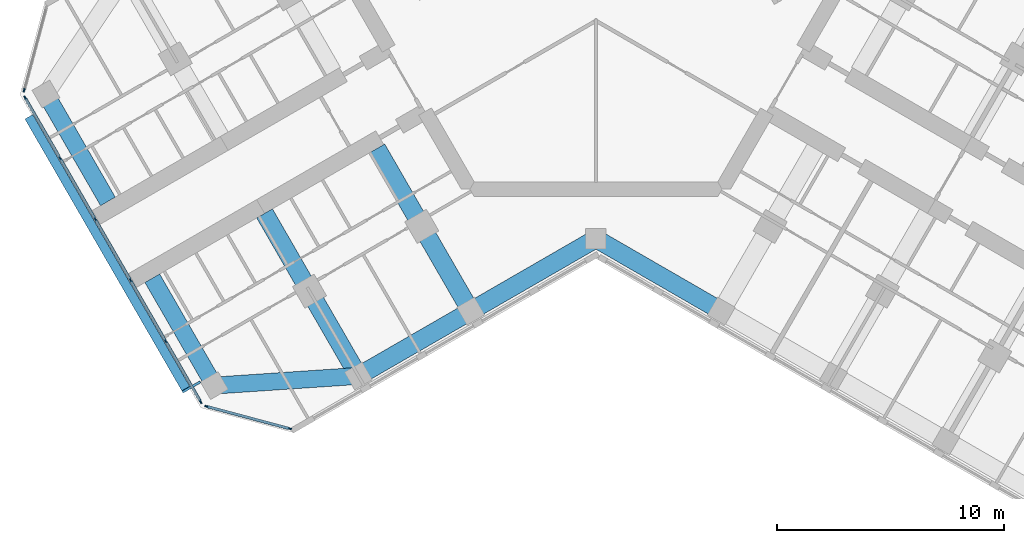
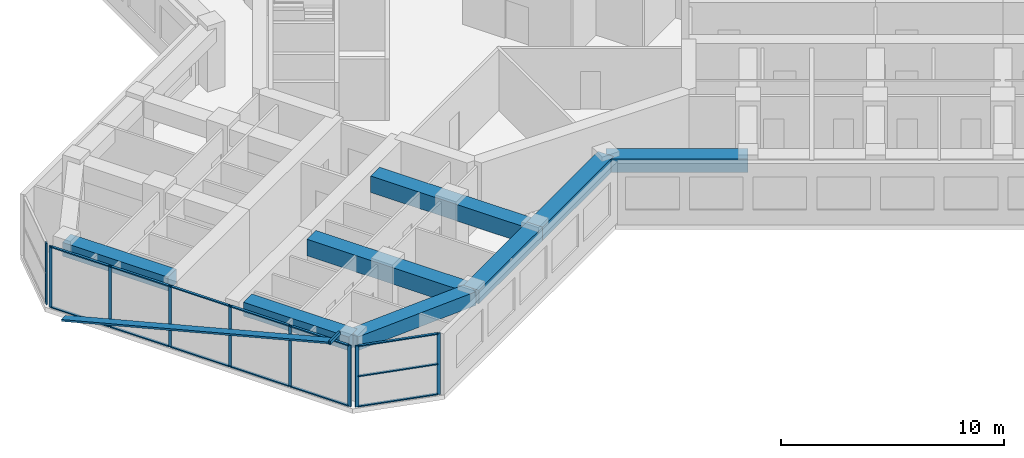
# One storey, part 2 of 16: 24 members, 8 beams, 3 elements without a shape of their own.
"""IFC4 building model written with IfcOpenShell, lengths in metres."""

from ifc_helpers import new_model, si_unit, direction, frame, origin, origin_2d, place, context, subcontext, project, spatial, rectangle, hollow_rectangle, extrude, material, material_profile, profile_set, type_object, element, aggregate, save


model = new_model("IFC4")

# Units and contexts
model_context = context("Model", 3, precision=1e-05, world=origin(), true_north=direction((0.0, 1.0)))
body_context = subcontext(model_context, "Body", "Model", "MODEL_VIEW")
ifc_project = project(units=[si_unit("LENGTHUNIT", "METRE"), si_unit("AREAUNIT", "SQUARE_METRE"), si_unit("VOLUMEUNIT", "CUBIC_METRE"), si_unit("PLANEANGLEUNIT", "RADIAN"), si_unit("MASSUNIT", "GRAM", prefix="KILO")], contexts=[model_context])

# Site, building, storey
site_placement = place(None, origin())
site = spatial("IfcSite", under=ifc_project, at=site_placement, CompositionType="ELEMENT")
building_placement = place(site_placement, origin())
building = spatial("IfcBuilding", under=site, at=building_placement, Name="Kosmar Iwan School Tower", CompositionType="ELEMENT")
storey_placement = place(building_placement, frame((0.0, 0.0, 222.60009765625)))
storey = spatial("IfcBuildingStorey", under=building, at=storey_placement, Name="L56", CompositionType="ELEMENT", Elevation=222.60009765625)

# Members
ifc_material_1 = material(Name="Black anodised aluminium", Category="aluminium")
ifc_material_profile_1 = material_profile(ifc_material_1, rectangle(XDim=0.10009765625, YDim=0.39990234375, at=origin_2d()), Name="FIN 100x400")
ifc_profile_set_1 = profile_set([ifc_material_profile_1], Name="Black anodised aluminium")
member_type_1 = type_object("IfcMemberType", Name="Diagonal fin 100x400", PredefinedType="USERDEFINED", material=ifc_profile_set_1)
member_1_placement = place(storey_placement, frame((-24.926513671875, -6.426025390625, -0.150146484375), z_axis=(0.483800388566, -0.837965217343, 0.2524905514), x_axis=(-0.126245460598, 0.218663124976, 0.96759935999)))
element("IfcMember", 1, at=member_1_placement, inside=storey, type_object=member_type_1, Name="Diagonal fin L56-F11", ObjectType="FIN", PredefinedType="USERDEFINED", context=body_context, shape_type="SweptSolid", body=[
    extrude(rectangle(XDim=0.10009765625, YDim=0.39990234375, at=origin_2d()), origin(), (0.0, 0.0, 1.0), 14.25830078125),
])
ifc_material_2 = material(Name="Steel S355", Category="steel")
ifc_material_profile_2 = material_profile(ifc_material_2, hollow_rectangle(XDim=0.10009765625, YDim=0.199951171875, WallThickness=0.008056640625, at=origin_2d()), Name="RHS 200x100x8")
ifc_profile_set_2 = profile_set([ifc_material_profile_2], Name="Steel S355")
member_type_2 = type_object("IfcMemberType", Name="Fin bracket RHS 200x100", PredefinedType="USERDEFINED", material=ifc_profile_set_2)
member_2_placement = place(storey_placement, frame((-17.396240234375, -18.06884765625, 3.474853515625), z_axis=(-0.866013897511, -0.50001992892, 0.0), x_axis=(0.50001992892, -0.866013897511, 0.0)))
element("IfcMember", 2, at=member_2_placement, inside=storey, type_object=member_type_2, Name="Fin bracket L57", ObjectType="FIN BRACKET", PredefinedType="USERDEFINED", context=body_context, shape_type="SweptSolid", body=[
    extrude(hollow_rectangle(XDim=0.10009765625, YDim=0.199951171875, WallThickness=0.008056640625, at=origin_2d()), origin(), (0.0, 0.0, 1.0), 0.89990234375),
])

# Curtain wall, member
ifc_material_3 = material(Name="Dark glass in black aluminium frame", Category="aluminium")
curtain_wall_type_1 = type_object("IfcCurtainWallType", Name="Chamfer curtain wall dark glass", PredefinedType="USERDEFINED", material=ifc_material_3)
curtain_wall_1_placement = place(storey_placement, origin())
curtain_wall_1 = element("IfcCurtainWall", 3, at=curtain_wall_1_placement, inside=storey, type_object=curtain_wall_type_1, Name="Curtain wall L56-F10", ObjectType="FACETED CURTAIN WALL", PredefinedType="USERDEFINED")
ifc_material_4 = material(Name="Black anodised aluminium", Category="aluminium")
ifc_material_profile_3 = material_profile(ifc_material_4, rectangle(XDim=0.06005859375, YDim=0.159912109375, at=origin_2d()), Name="MULLION 60x160")
ifc_profile_set_3 = profile_set([ifc_material_profile_3], Name="Black anodised aluminium")
member_type_3 = type_object("IfcMemberType", Name="Mullion 60x160", PredefinedType="MULLION", material=ifc_profile_set_3)
member_3_placement = place(storey_placement, frame((-25.141845703125, -5.24853515625, 0.0), z_axis=(0.0, 0.0, 1.0), x_axis=(0.965925875495, -0.258818861462, 0.0)))
member_3 = element("IfcMember", 4, at=member_3_placement, type_object=member_type_3, Name="CW2 mullion 2", PredefinedType="MULLION", context=body_context, shape_type="SweptSolid", body=[
    extrude(rectangle(XDim=0.06005859375, YDim=0.159912109375, at=origin_2d()), origin(), (0.0, 0.0, 1.0), 3.349853515625),
])
aggregate(curtain_wall_1, [member_3])

# Curtain wall, members
ifc_material_5 = material(Name="Dark glass in black aluminium frame", Category="aluminium")
curtain_wall_type_2 = type_object("IfcCurtainWallType", Name="Tower curtain wall dark glass", PredefinedType="USERDEFINED", material=ifc_material_5)
curtain_wall_2_placement = place(storey_placement, origin())
curtain_wall_2 = element("IfcCurtainWall", 5, at=curtain_wall_2_placement, inside=storey, type_object=curtain_wall_type_2, Name="Curtain wall L56-F11", ObjectType="UNITISED CURTAIN WALL", PredefinedType="USERDEFINED")
member_4_placement = place(storey_placement, frame((-25.098388671875, -5.578369140625, 0.0), z_axis=(0.0, 0.0, 1.0), x_axis=(0.866025405329, 0.499999997325, 0.0)))
member_4 = element("IfcMember", 6, at=member_4_placement, type_object=member_type_3, Name="CW1 mullion 1", PredefinedType="MULLION", context=body_context, shape_type="SweptSolid", body=[
    extrude(rectangle(XDim=0.06005859375, YDim=0.159912109375, at=origin_2d()), origin(), (0.0, 0.0, 1.0), 3.349853515625),
])
member_5_placement = place(storey_placement, frame((-23.563720703125, -8.236328125, 0.0), z_axis=(0.0, 0.0, 1.0), x_axis=(0.866025405329, 0.499999997325, 0.0)))
member_5 = element("IfcMember", 7, at=member_5_placement, type_object=member_type_3, Name="CW1 mullion 2", PredefinedType="MULLION", context=body_context, shape_type="SweptSolid", body=[
    extrude(rectangle(XDim=0.06005859375, YDim=0.159912109375, at=origin_2d()), origin(), (0.0, 0.0, 1.0), 3.349853515625),
])
member_6_placement = place(storey_placement, frame((-22.01416015625, -10.92041015625, 0.0), z_axis=(0.0, 0.0, 1.0), x_axis=(0.866025405329, 0.499999997325, 0.0)))
member_6 = element("IfcMember", 8, at=member_6_placement, type_object=member_type_3, Name="CW1 mullion 3", PredefinedType="MULLION", context=body_context, shape_type="SweptSolid", body=[
    extrude(rectangle(XDim=0.06005859375, YDim=0.159912109375, at=origin_2d()), origin(), (0.0, 0.0, 1.0), 3.349853515625),
])
member_7_placement = place(storey_placement, frame((-20.46435546875, -13.6044921875, 0.0), z_axis=(0.0, 0.0, 1.0), x_axis=(0.866025405329, 0.499999997325, 0.0)))
member_7 = element("IfcMember", 9, at=member_7_placement, type_object=member_type_3, Name="CW1 mullion 4", PredefinedType="MULLION", context=body_context, shape_type="SweptSolid", body=[
    extrude(rectangle(XDim=0.06005859375, YDim=0.159912109375, at=origin_2d()), origin(), (0.0, 0.0, 1.0), 3.349853515625),
])
member_8_placement = place(storey_placement, frame((-18.914794921875, -16.28857421875, 0.0), z_axis=(0.0, 0.0, 1.0), x_axis=(0.866025405329, 0.499999997325, 0.0)))
member_8 = element("IfcMember", 10, at=member_8_placement, type_object=member_type_3, Name="CW1 mullion 5", PredefinedType="MULLION", context=body_context, shape_type="SweptSolid", body=[
    extrude(rectangle(XDim=0.06005859375, YDim=0.159912109375, at=origin_2d()), origin(), (0.0, 0.0, 1.0), 3.349853515625),
])
member_9_placement = place(storey_placement, frame((-17.380126953125, -18.94677734375, 0.0), z_axis=(0.0, 0.0, 1.0), x_axis=(0.866025405329, 0.499999997325, 0.0)))
member_9 = element("IfcMember", 11, at=member_9_placement, type_object=member_type_3, Name="CW1 mullion 6", PredefinedType="MULLION", context=body_context, shape_type="SweptSolid", body=[
    extrude(rectangle(XDim=0.06005859375, YDim=0.159912109375, at=origin_2d()), origin(), (0.0, 0.0, 1.0), 3.349853515625),
])

curtain_wall_3_placement = place(storey_placement, origin())
curtain_wall_3 = element("IfcCurtainWall", 12, at=curtain_wall_3_placement, inside=storey, type_object=curtain_wall_type_1, Name="Curtain wall L56-F12", ObjectType="FACETED CURTAIN WALL", PredefinedType="USERDEFINED")
member_10_placement = place(storey_placement, frame((-17.1162109375, -19.149169921875, 0.0), z_axis=(0.0, 0.0, 1.0), x_axis=(0.258818861462, 0.965925875495, 0.0)))
member_10 = element("IfcMember", 13, at=member_10_placement, type_object=member_type_3, Name="CW2 mullion 1", PredefinedType="MULLION", context=body_context, shape_type="SweptSolid", body=[
    extrude(rectangle(XDim=0.06005859375, YDim=0.159912109375, at=origin_2d()), origin(), (0.0, 0.0, 1.0), 3.349853515625),
])
member_11_placement = place(storey_placement, frame((-13.466064453125, -20.127197265625, 0.0), z_axis=(0.0, 0.0, 1.0), x_axis=(0.258818861462, 0.965925875495, 0.0)))
member_11 = element("IfcMember", 14, at=member_11_placement, type_object=member_type_3, Name="CW2 mullion 2", PredefinedType="MULLION", context=body_context, shape_type="SweptSolid", body=[
    extrude(rectangle(XDim=0.06005859375, YDim=0.159912109375, at=origin_2d()), origin(), (0.0, 0.0, 1.0), 3.349853515625),
])

# Beams
ifc_material_6 = material(Name="Concrete C50/60", Category="concrete")
ifc_material_profile_4 = material_profile(ifc_material_6, rectangle(XDim=0.800048828125, YDim=0.75, at=origin_2d()), Name="RC 800x750")
ifc_profile_set_4 = profile_set([ifc_material_profile_4], Name="Concrete C50/60")
beam_type_1 = type_object("IfcBeamType", Name="RC edge beam 800x750", PredefinedType="BEAM", material=ifc_profile_set_4)
beam_1_placement = place(storey_placement, frame((0.0, -11.77783203125, 2.974853515625), z_axis=(-0.866014293216, -0.500019243575, 0.0), x_axis=(0.500019243575, -0.866014293216, 0.0)))
element("IfcBeam", 15, at=beam_1_placement, inside=storey, type_object=beam_type_1, Name="Edge beam BL1", PredefinedType="BEAM", context=body_context, shape_type="SweptSolid", body=[
    extrude(rectangle(XDim=0.800048828125, YDim=0.75, at=origin_2d()), origin(), (0.0, 0.0, 1.0), 6.361083984375),
])
beam_2_placement = place(storey_placement, frame((-5.5087890625, -14.95849609375, 2.974853515625), z_axis=(-0.866033658841, -0.49998570155, 0.0), x_axis=(0.49998570155, -0.866033658841, 0.0)))
element("IfcBeam", 16, at=beam_2_placement, inside=storey, type_object=beam_type_1, Name="Edge beam BL2", PredefinedType="BEAM", context=body_context, shape_type="SweptSolid", body=[
    extrude(rectangle(XDim=0.800048828125, YDim=0.75, at=origin_2d()), origin(), (0.0, 0.0, 1.0), 5.699951171875),
])
beam_3_placement = place(storey_placement, frame((0.0, -11.77783203125, 2.974853515625), z_axis=(0.866014293216, -0.500019243575, 0.0), x_axis=(0.500019243575, 0.866014293216, 0.0)))
element("IfcBeam", 17, at=beam_3_placement, inside=storey, type_object=beam_type_1, Name="Edge beam CR1", PredefinedType="BEAM", context=body_context, shape_type="SweptSolid", body=[
    extrude(rectangle(XDim=0.800048828125, YDim=0.75, at=origin_2d()), origin(), (0.0, 0.0, 1.0), 6.361083984375),
])
ifc_material_7 = material(Name="Concrete C50/60", Category="concrete")
ifc_material_profile_5 = material_profile(ifc_material_7, rectangle(XDim=0.75, YDim=0.75, at=origin_2d()), Name="RC 750x750")
ifc_profile_set_5 = profile_set([ifc_material_profile_5], Name="Concrete C50/60")
beam_type_2 = type_object("IfcBeamType", Name="RC tip beam 750x750", PredefinedType="BEAM", material=ifc_profile_set_5)
beam_4_placement = place(storey_placement, frame((-10.445068359375, -17.808349609375, 2.974853515625), z_axis=(-0.997755118724, -0.066968074933, 0.0), x_axis=(0.066968074933, -0.997755118724, 0.0)))
element("IfcBeam", 18, at=beam_4_placement, inside=storey, type_object=beam_type_2, Name="Tip beam BL", PredefinedType="BEAM", context=body_context, shape_type="SweptSolid", body=[
    extrude(rectangle(XDim=0.75, YDim=0.75, at=origin_2d()), origin(), (0.0, 0.0, 1.0), 6.3505859375),
])
beam_5_placement = place(storey_placement, frame((-16.781494140625, -18.233642578125, 2.974853515625), z_axis=(-0.500002931134, 0.866023711487, 0.0), x_axis=(-0.866023711487, -0.500002931134, 0.0)))
element("IfcBeam", 19, at=beam_5_placement, inside=storey, type_object=beam_type_2, Name="Tip beam BL to corridor wall", PredefinedType="BEAM", context=body_context, shape_type="SweptSolid", body=[
    extrude(rectangle(XDim=0.75, YDim=0.75, at=origin_2d()), origin(), (0.0, 0.0, 1.0), 5.4501953125),
])
beam_6_placement = place(storey_placement, frame((-24.181396484375, -5.41650390625, 2.974853515625), z_axis=(0.499988730927, -0.866031909889, 0.0), x_axis=(0.866031909889, 0.499988730927, 0.0)))
element("IfcBeam", 20, at=beam_6_placement, inside=storey, type_object=beam_type_2, Name="Tip beam BR to corridor wall", PredefinedType="BEAM", context=body_context, shape_type="SweptSolid", body=[
    extrude(rectangle(XDim=0.75, YDim=0.75, at=origin_2d()), origin(), (0.0, 0.0, 1.0), 5.449951171875),
])
ifc_material_8 = material(Name="Concrete C50/60", Category="concrete")
ifc_material_profile_6 = material_profile(ifc_material_8, rectangle(XDim=0.800048828125, YDim=0.89990234375, at=origin_2d()), Name="RC 800x900")
ifc_profile_set_6 = profile_set([ifc_material_profile_6], Name="Concrete C50/60")
beam_type_3 = type_object("IfcBeamType", Name="RC transverse beam 800x900", PredefinedType="BEAM", material=ifc_profile_set_6)
beam_7_placement = place(storey_placement, frame((-5.5087890625, -14.95849609375, 2.89990234375), z_axis=(-0.499996545922, 0.866027397988, 0.0), x_axis=(-0.866027397988, -0.499996545922, 0.0)))
element("IfcBeam", 21, at=beam_7_placement, inside=storey, type_object=beam_type_3, Name="Transverse beam BL1", PredefinedType="BEAM", context=body_context, shape_type="SweptSolid", body=[
    extrude(rectangle(XDim=0.800048828125, YDim=0.89990234375, at=origin_2d()), origin(), (0.0, 0.0, 1.0), 8.25),
])
beam_8_placement = place(storey_placement, frame((-10.445068359375, -17.808349609375, 2.89990234375), z_axis=(-0.500009360108, 0.866019999656, 0.0), x_axis=(-0.866019999656, -0.500009360108, 0.0)))
element("IfcBeam", 22, at=beam_8_placement, inside=storey, type_object=beam_type_3, Name="Transverse beam BL2", PredefinedType="BEAM", context=body_context, shape_type="SweptSolid", body=[
    extrude(rectangle(XDim=0.800048828125, YDim=0.89990234375, at=origin_2d()), origin(), (0.0, 0.0, 1.0), 8.249755859375),
])

# Member
ifc_material_9 = material(Name="Black anodised aluminium", Category="aluminium")
ifc_material_profile_7 = material_profile(ifc_material_9, rectangle(XDim=0.1201171875, YDim=0.06005859375, at=origin_2d()), Name="TRANSOM 60x120")
ifc_profile_set_7 = profile_set([ifc_material_profile_7], Name="Black anodised aluminium")
member_type_4 = type_object("IfcMemberType", Name="Transom 60x120", PredefinedType="USERDEFINED", material=ifc_profile_set_7)
member_12_placement = place(storey_placement, frame((-25.08349609375, -5.604248046875, 0.02978515625), z_axis=(0.499986971506, -0.866032925658, 0.0), x_axis=(0.866032925658, 0.499986971506, 0.0)))
member_12 = element("IfcMember", 23, at=member_12_placement, type_object=member_type_4, Name="CW1 transom 1.1", ObjectType="TRANSOM", PredefinedType="USERDEFINED", context=body_context, shape_type="SweptSolid", body=[
    extrude(rectangle(XDim=0.1201171875, YDim=0.06005859375, at=origin_2d()), origin(), (0.0, 0.0, 1.0), 3.00927734375),
])

member_13_placement = place(storey_placement, frame((-25.08349609375, -5.604248046875, 3.31982421875), z_axis=(0.499986971506, -0.866032925658, 0.0), x_axis=(0.866032925658, 0.499986971506, 0.0)))
member_13 = element("IfcMember", 24, at=member_13_placement, type_object=member_type_4, Name="CW1 transom 1.2", ObjectType="TRANSOM", PredefinedType="USERDEFINED", context=body_context, shape_type="SweptSolid", body=[
    extrude(rectangle(XDim=0.1201171875, YDim=0.06005859375, at=origin_2d()), origin(), (0.0, 0.0, 1.0), 3.00927734375),
])

member_14_placement = place(storey_placement, frame((-23.548828125, -8.262451171875, 0.02978515625), z_axis=(0.500035348339, -0.866004994449, 0.0), x_axis=(0.866004994449, 0.500035348339, 0.0)))
member_14 = element("IfcMember", 25, at=member_14_placement, type_object=member_type_4, Name="CW1 transom 2.1", ObjectType="TRANSOM", PredefinedType="USERDEFINED", context=body_context, shape_type="SweptSolid", body=[
    extrude(rectangle(XDim=0.1201171875, YDim=0.06005859375, at=origin_2d()), origin(), (0.0, 0.0, 1.0), 3.039306640625),
])

member_15_placement = place(storey_placement, frame((-23.548828125, -8.262451171875, 3.31982421875), z_axis=(0.500035348339, -0.866004994449, 0.0), x_axis=(0.866004994449, 0.500035348339, 0.0)))
member_15 = element("IfcMember", 26, at=member_15_placement, type_object=member_type_4, Name="CW1 transom 2.2", ObjectType="TRANSOM", PredefinedType="USERDEFINED", context=body_context, shape_type="SweptSolid", body=[
    extrude(rectangle(XDim=0.1201171875, YDim=0.06005859375, at=origin_2d()), origin(), (0.0, 0.0, 1.0), 3.039306640625),
])

member_16_placement = place(storey_placement, frame((-21.9990234375, -10.946533203125, 0.02978515625), z_axis=(0.499975102327, -0.866039777986, 0.0), x_axis=(0.866039777986, 0.499975102327, 0.0)))
member_16 = element("IfcMember", 27, at=member_16_placement, type_object=member_type_4, Name="CW1 transom 3.1", ObjectType="TRANSOM", PredefinedType="USERDEFINED", context=body_context, shape_type="SweptSolid", body=[
    extrude(rectangle(XDim=0.1201171875, YDim=0.06005859375, at=origin_2d()), origin(), (0.0, 0.0, 1.0), 3.039306640625),
])

member_17_placement = place(storey_placement, frame((-21.9990234375, -10.946533203125, 3.31982421875), z_axis=(0.499975102327, -0.866039777986, 0.0), x_axis=(0.866039777986, 0.499975102327, 0.0)))
member_17 = element("IfcMember", 28, at=member_17_placement, type_object=member_type_4, Name="CW1 transom 3.2", ObjectType="TRANSOM", PredefinedType="USERDEFINED", context=body_context, shape_type="SweptSolid", body=[
    extrude(rectangle(XDim=0.1201171875, YDim=0.06005859375, at=origin_2d()), origin(), (0.0, 0.0, 1.0), 3.039306640625),
])

member_18_placement = place(storey_placement, frame((-20.449462890625, -13.630615234375, 0.02978515625), z_axis=(0.500035348339, -0.866004994449, 0.0), x_axis=(0.866004994449, 0.500035348339, 0.0)))
member_18 = element("IfcMember", 29, at=member_18_placement, type_object=member_type_4, Name="CW1 transom 4.1", ObjectType="TRANSOM", PredefinedType="USERDEFINED", context=body_context, shape_type="SweptSolid", body=[
    extrude(rectangle(XDim=0.1201171875, YDim=0.06005859375, at=origin_2d()), origin(), (0.0, 0.0, 1.0), 3.039306640625),
])

member_19_placement = place(storey_placement, frame((-20.449462890625, -13.630615234375, 3.31982421875), z_axis=(0.500035348339, -0.866004994449, 0.0), x_axis=(0.866004994449, 0.500035348339, 0.0)))
member_19 = element("IfcMember", 30, at=member_19_placement, type_object=member_type_4, Name="CW1 transom 4.2", ObjectType="TRANSOM", PredefinedType="USERDEFINED", context=body_context, shape_type="SweptSolid", body=[
    extrude(rectangle(XDim=0.1201171875, YDim=0.06005859375, at=origin_2d()), origin(), (0.0, 0.0, 1.0), 3.039306640625),
])

member_20_placement = place(storey_placement, frame((-18.89990234375, -16.314697265625, 0.02978515625), z_axis=(0.500022102064, -0.866012642776, 0.0), x_axis=(0.866012642776, 0.500022102064, 0.0)))
member_20 = element("IfcMember", 31, at=member_20_placement, type_object=member_type_4, Name="CW1 transom 5.1", ObjectType="TRANSOM", PredefinedType="USERDEFINED", context=body_context, shape_type="SweptSolid", body=[
    extrude(rectangle(XDim=0.1201171875, YDim=0.06005859375, at=origin_2d()), origin(), (0.0, 0.0, 1.0), 3.009033203125),
])

member_21_placement = place(storey_placement, frame((-18.89990234375, -16.314697265625, 3.31982421875), z_axis=(0.500022102064, -0.866012642776, 0.0), x_axis=(0.866012642776, 0.500022102064, 0.0)))
member_21 = element("IfcMember", 32, at=member_21_placement, type_object=member_type_4, Name="CW1 transom 5.2", ObjectType="TRANSOM", PredefinedType="USERDEFINED", context=body_context, shape_type="SweptSolid", body=[
    extrude(rectangle(XDim=0.1201171875, YDim=0.06005859375, at=origin_2d()), origin(), (0.0, 0.0, 1.0), 3.009033203125),
])

aggregate(curtain_wall_2, [member_4, member_5, member_6, member_7, member_8, member_9, member_12, member_13, member_14, member_15, member_16, member_17, member_18, member_19, member_20, member_21])

member_22_placement = place(storey_placement, frame((-17.08740234375, -19.156982421875, 0.02978515625), z_axis=(0.965940141052, -0.258765615768, 0.0), x_axis=(0.258765615768, 0.965940141052, 0.0)))
member_22 = element("IfcMember", 33, at=member_22_placement, type_object=member_type_4, Name="CW2 transom 1.1", ObjectType="TRANSOM", PredefinedType="USERDEFINED", context=body_context, shape_type="SweptSolid", body=[
    extrude(rectangle(XDim=0.1201171875, YDim=0.06005859375, at=origin_2d()), origin(), (0.0, 0.0, 1.0), 3.71923828125),
])

member_23_placement = place(storey_placement, frame((-17.08740234375, -19.156982421875, 1.6748046875), z_axis=(0.965940141052, -0.258765615768, 0.0), x_axis=(0.258765615768, 0.965940141052, 0.0)))
member_23 = element("IfcMember", 34, at=member_23_placement, type_object=member_type_4, Name="CW2 transom 1.2", ObjectType="TRANSOM", PredefinedType="USERDEFINED", context=body_context, shape_type="SweptSolid", body=[
    extrude(rectangle(XDim=0.1201171875, YDim=0.06005859375, at=origin_2d()), origin(), (0.0, 0.0, 1.0), 3.71923828125),
])

member_24_placement = place(storey_placement, frame((-17.08740234375, -19.156982421875, 3.31982421875), z_axis=(0.965940141052, -0.258765615768, 0.0), x_axis=(0.258765615768, 0.965940141052, 0.0)))
member_24 = element("IfcMember", 35, at=member_24_placement, type_object=member_type_4, Name="CW2 transom 1.3", ObjectType="TRANSOM", PredefinedType="USERDEFINED", context=body_context, shape_type="SweptSolid", body=[
    extrude(rectangle(XDim=0.1201171875, YDim=0.06005859375, at=origin_2d()), origin(), (0.0, 0.0, 1.0), 3.71923828125),
])

aggregate(curtain_wall_3, [member_10, member_11, member_22, member_23, member_24])

save(model, "model.ifc")
